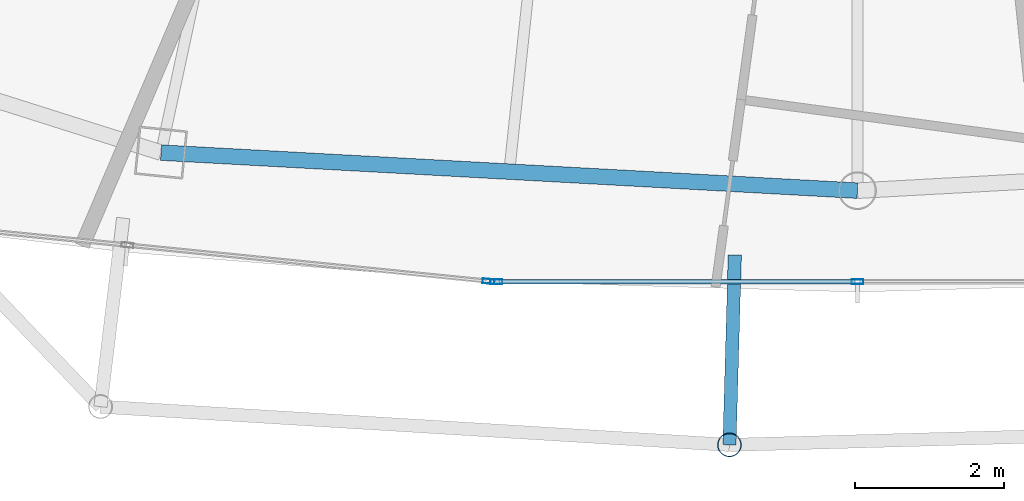
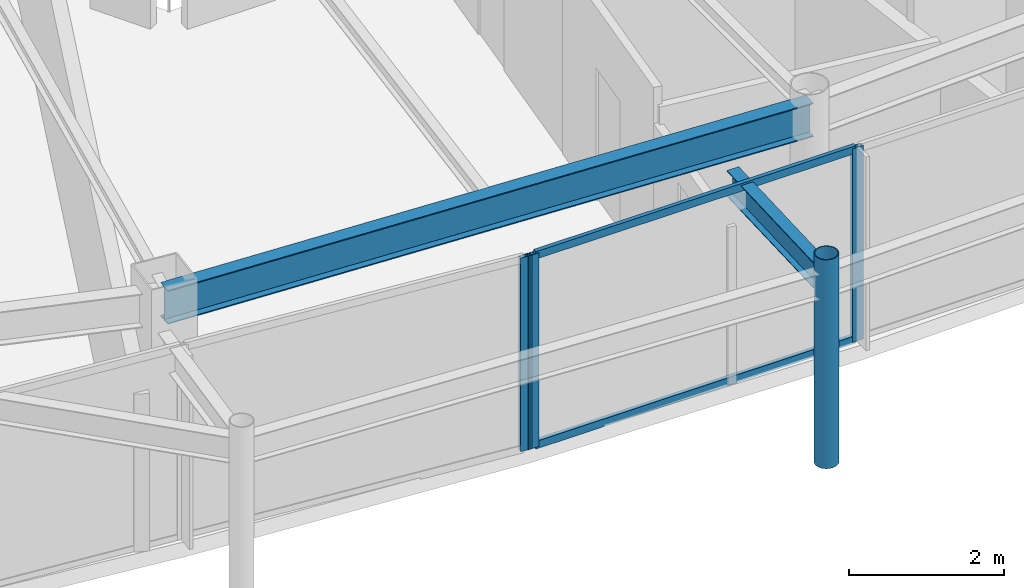
# One storey, part 7 of 28: 6 members, 2 beams, 2 elements without a shape of their own.
"""IFC4 building model written with IfcOpenShell, lengths in metres."""

from ifc_helpers import new_model, si_unit, direction, frame, origin, origin_2d, place, context, subcontext, project, spatial, hollow_rectangle, hollow_circle, i_section, extrude, material, layer, layer_set, material_profile, profile_set, type_object, element, aggregate, save


model = new_model("IFC4")

# Units and contexts
model_context = context("Model", 3, precision=1e-05, world=origin(), true_north=direction((0.0, 1.0)))
body_context = subcontext(model_context, "Body", "Model", "MODEL_VIEW")
ifc_project = project(units=[si_unit("LENGTHUNIT", "METRE"), si_unit("AREAUNIT", "SQUARE_METRE"), si_unit("VOLUMEUNIT", "CUBIC_METRE"), si_unit("PLANEANGLEUNIT", "RADIAN"), si_unit("MASSUNIT", "GRAM", prefix="KILO")], contexts=[model_context])

# Site, building, storey
site_placement = place(None, origin())
site = spatial("IfcSite", under=ifc_project, at=site_placement, CompositionType="ELEMENT")
building_placement = place(site_placement, origin())
building = spatial("IfcBuilding", under=site, at=building_placement, Name="Orvanel Arch Residences", CompositionType="ELEMENT")
storey_placement = place(building_placement, frame((0.0, 0.0, 263.449951171875)))
storey = spatial("IfcBuildingStorey", under=building, at=storey_placement, Name="L75", CompositionType="ELEMENT", Elevation=263.449951171875)

# Curtain wall, member
ifc_material_1 = material(Name="Bronze-anodised aluminium AA6063-T6", Category="aluminium")
ifc_layer = layer(ifc_material_1, 0.175048828125)
ifc_layer_set = layer_set([ifc_layer], Name="Bronze-anodised aluminium AA6063-T6")
curtain_wall_type = type_object("IfcCurtainWallType", Name="CW4-HI-SYS", PredefinedType="NOTDEFINED", material=ifc_layer_set)
curtain_wall_1_placement = place(storey_placement, origin())
curtain_wall_1 = element("IfcCurtainWall", 1, at=curtain_wall_1_placement, inside=storey, type_object=curtain_wall_type, Name="L75 CW4-HI-SYS Unitised Curtain Wall", PredefinedType="NOTDEFINED")
ifc_material_profile_1 = material_profile(ifc_material_1, hollow_rectangle(XDim=0.06494140625, YDim=0.159912109375, WallThickness=0.00390625, at=origin_2d()), Name="ALU160x65x4")
ifc_profile_set_1 = profile_set([ifc_material_profile_1], Name="Bronze-anodised aluminium AA6063-T6")
member_type_1 = type_object("IfcMemberType", Name="MUL-160x65", PredefinedType="MULLION", material=ifc_profile_set_1)
member_1_placement = place(storey_placement, frame((28.046630859375, 5.627197265625, 0.0), z_axis=(0.0, 0.0, 1.0), x_axis=(0.099796405352, 0.995007878099, 0.0)))
member_1 = element("IfcMember", 2, at=member_1_placement, type_object=member_type_1, Name="CW-S4 mullion 3", PredefinedType="MULLION", context=body_context, shape_type="SweptSolid", body=[
    extrude(hollow_rectangle(XDim=0.06494140625, YDim=0.159912109375, WallThickness=0.00390625, at=origin_2d()), origin(), (0.0, 0.0, 1.0), 3.06005859375),
])
aggregate(curtain_wall_1, [member_1])

# Curtain wall, members
curtain_wall_2_placement = place(storey_placement, origin())
curtain_wall_2 = element("IfcCurtainWall", 3, at=curtain_wall_2_placement, inside=storey, type_object=curtain_wall_type, Name="L75 CW4-HI-SYS Unitised Curtain Wall", PredefinedType="NOTDEFINED")
member_2_placement = place(storey_placement, frame((28.151611328125, 5.6220703125, 0.0), z_axis=(0.0, 0.0, 1.0), x_axis=(0.0, 1.0, 0.0)))
member_2 = element("IfcMember", 4, at=member_2_placement, type_object=member_type_1, Name="CW-S4 mullion 1", PredefinedType="MULLION", context=body_context, shape_type="SweptSolid", body=[
    extrude(hollow_rectangle(XDim=0.06494140625, YDim=0.159912109375, WallThickness=0.00390625, at=origin_2d()), origin(), (0.0, 0.0, 1.0), 3.06005859375),
])
member_3_placement = place(storey_placement, frame((33.0, 5.6220703125, 0.0), z_axis=(0.0, 0.0, 1.0), x_axis=(0.0, 1.0, 0.0)))
member_3 = element("IfcMember", 5, at=member_3_placement, type_object=member_type_1, Name="CW-S4 mullion 2", PredefinedType="MULLION", context=body_context, shape_type="SweptSolid", body=[
    extrude(hollow_rectangle(XDim=0.06494140625, YDim=0.159912109375, WallThickness=0.00390625, at=origin_2d()), origin(), (0.0, 0.0, 1.0), 3.06005859375),
])

# Beams
ifc_material_2 = material(Name="Structural steel AS/NZS 3679.1 Grade 300 (300 MPa)", Category="steel")
ifc_material_profile_2 = material_profile(ifc_material_2, i_section(OverallWidth=0.177978515625, OverallDepth=0.406005859375, WebThickness=0.0078125, FlangeThickness=0.0126953125, at=origin_2d()), Name="410UB59.7")
ifc_profile_set_2 = profile_set([ifc_material_profile_2], Name="Structural steel AS/NZS 3679.1 Grade 300 (300 MPa)")
beam_type_1 = type_object("IfcBeamType", Name="OB-410UB-EXT", PredefinedType="SPANDREL", material=ifc_profile_set_2)
beam_1_placement = place(storey_placement, frame((31.35302734375, 5.97998046875, 2.85693359375), z_axis=(-0.028242727986, -0.999601094595, 0.0), x_axis=(0.999601094595, -0.028242727986, 0.0)))
element("IfcBeam", 6, at=beam_1_placement, inside=storey, type_object=beam_type_1, Name="L75 Outer Frame Radial Tie Beam 06", PredefinedType="SPANDREL", context=body_context, shape_type="SweptSolid", body=[
    extrude(i_section(OverallWidth=0.177978515625, OverallDepth=0.406005859375, WebThickness=0.0078125, FlangeThickness=0.0126953125, at=origin_2d()), origin(), (0.0, 0.0, 1.0), 2.550048828125),
])
ifc_material_profile_3 = material_profile(ifc_material_2, i_section(OverallWidth=0.208984375, OverallDepth=0.532958984375, WebThickness=0.01025390625, FlangeThickness=0.015625, at=origin_2d()), Name="530UB92.4")
ifc_profile_set_3 = profile_set([ifc_material_profile_3], Name="Structural steel AS/NZS 3679.1 Grade 300 (300 MPa)")
beam_type_2 = type_object("IfcBeamType", Name="SP-530UB", PredefinedType="SPANDREL", material=ifc_profile_set_3)
beam_2_placement = place(storey_placement, frame((23.64892578125, 7.35498046875, 2.79296875), z_axis=(0.998510315598, -0.054563262768, 0.0), x_axis=(0.054563262768, 0.998510315598, 0.0)))
element("IfcBeam", 7, at=beam_2_placement, inside=storey, type_object=beam_type_2, Name="L75 Perimeter Spandrel Beam 03", PredefinedType="SPANDREL", context=body_context, shape_type="SweptSolid", body=[
    extrude(i_section(OverallWidth=0.208984375, OverallDepth=0.532958984375, WebThickness=0.01025390625, FlangeThickness=0.015625, at=origin_2d()), origin(), (0.0, 0.0, 1.0), 9.364990234375),
])

# Member
ifc_material_3 = material(Name="Structural steel AS/NZS 1163 C350L0 (Grade 350)", Category="steel")
ifc_material_profile_4 = material_profile(ifc_material_3, hollow_circle(Radius=0.162109375, WallThickness=0.0126953125, at=origin_2d()), Name="CHS324x12.7")
ifc_profile_set_4 = profile_set([ifc_material_profile_4], Name="Structural steel AS/NZS 1163 C350L0 (Grade 350)")
member_type_2 = type_object("IfcMemberType", Name="ST-324CHS-EXT", PredefinedType="STRUT", material=ifc_profile_set_4)
member_4_placement = place(storey_placement, frame((31.281005859375, 3.430908203125, 0.0), z_axis=(0.0, 0.0, 1.0), x_axis=(1.0, 0.0, 0.0)))
element("IfcMember", 8, at=member_4_placement, inside=storey, type_object=member_type_2, Name="L75 Outer Perimeter Frame Post 06", PredefinedType="STRUT", context=body_context, shape_type="SweptSolid", body=[
    extrude(hollow_circle(Radius=0.162109375, WallThickness=0.0126953125, at=origin_2d()), origin(), (0.0, 0.0, 1.0), 3.300048828125),
])

ifc_material_profile_5 = material_profile(ifc_material_1, hollow_rectangle(XDim=0.06005859375, YDim=0.1201171875, WallThickness=0.00341796875, at=origin_2d()), Name="ALU120x60x3.5")
ifc_profile_set_5 = profile_set([ifc_material_profile_5], Name="Bronze-anodised aluminium AA6063-T6")
member_type_3 = type_object("IfcMemberType", Name="TRN-120x60", PredefinedType="USERDEFINED", material=ifc_profile_set_5)
member_5_placement = place(storey_placement, frame((28.18408203125, 5.6220703125, 0.030029296875), z_axis=(1.0, 0.0, 0.0), x_axis=(0.0, 1.0, 0.0)))
member_5 = element("IfcMember", 9, at=member_5_placement, type_object=member_type_3, Name="CW-S4 transom 1.1", ObjectType="TRANSOM", PredefinedType="USERDEFINED", context=body_context, shape_type="SweptSolid", body=[
    extrude(hollow_rectangle(XDim=0.06005859375, YDim=0.1201171875, WallThickness=0.00341796875, at=origin_2d()), origin(), (0.0, 0.0, 1.0), 4.783447265625),
])

member_6_placement = place(storey_placement, frame((28.18408203125, 5.6220703125, 3.030029296875), z_axis=(1.0, 0.0, 0.0), x_axis=(0.0, 1.0, 0.0)))
member_6 = element("IfcMember", 10, at=member_6_placement, type_object=member_type_3, Name="CW-S4 transom 1.2", ObjectType="TRANSOM", PredefinedType="USERDEFINED", context=body_context, shape_type="SweptSolid", body=[
    extrude(hollow_rectangle(XDim=0.06005859375, YDim=0.1201171875, WallThickness=0.00341796875, at=origin_2d()), origin(), (0.0, 0.0, 1.0), 4.783447265625),
])

aggregate(curtain_wall_2, [member_2, member_3, member_5, member_6])

save(model, "model.ifc")
